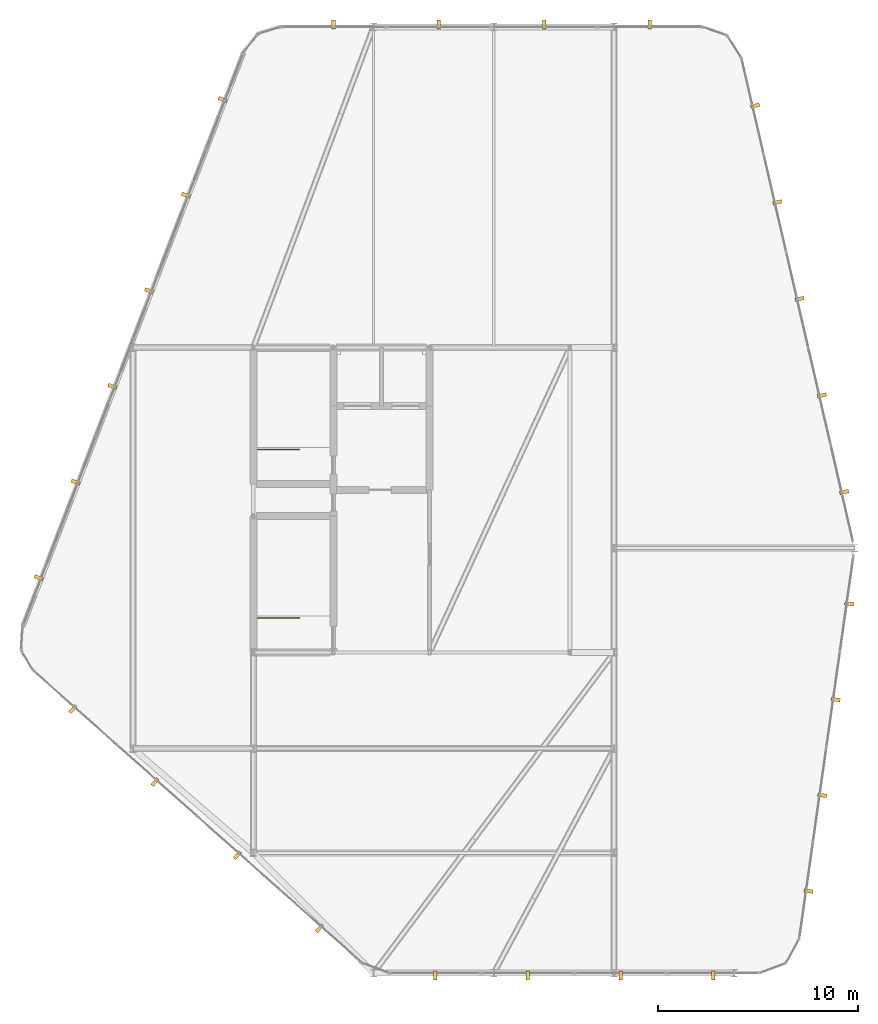
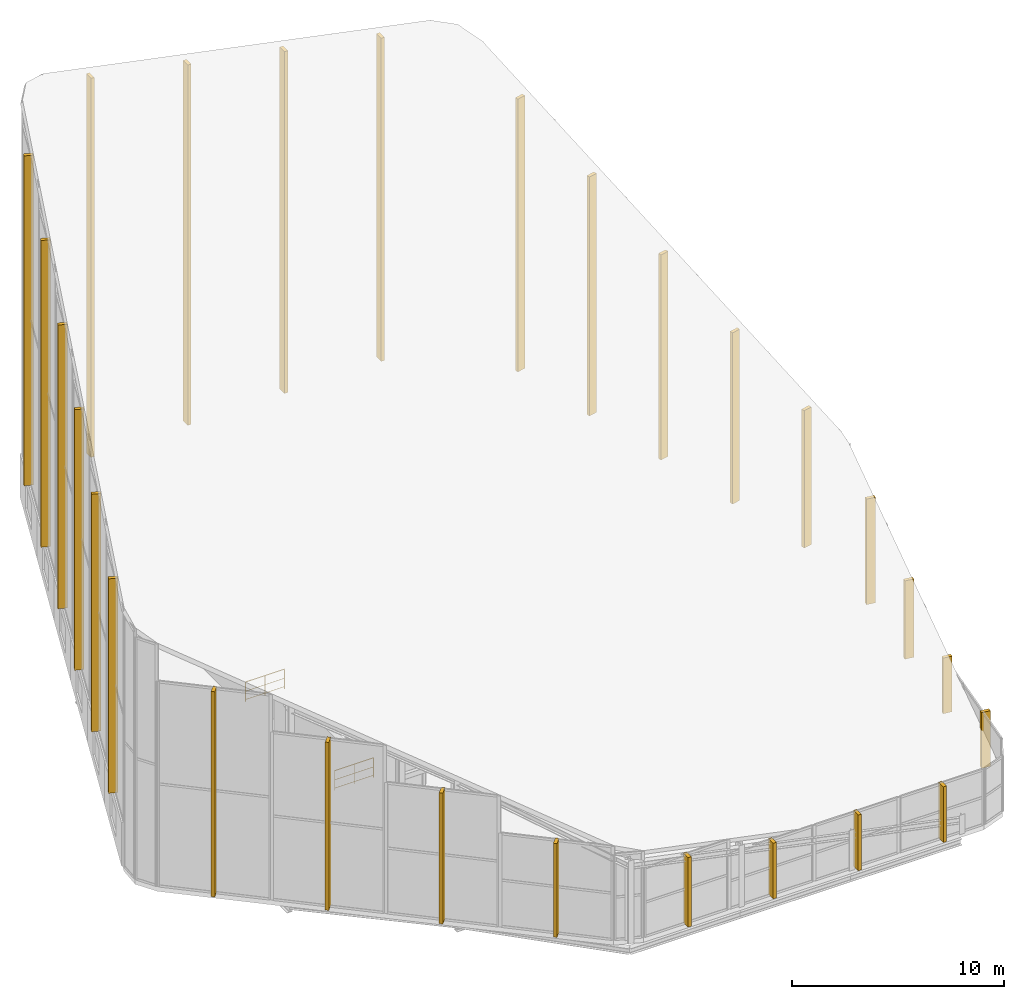
# One storey, part 74 of 74: 27 coverings, 2 railings.
"""IFC4 building model written with IfcOpenShell, lengths in metres."""

from ifc_helpers import new_model, si_unit, direction, frame, origin, origin_2d, place, context, subcontext, project, spatial, rectangle, circle, extrude, material, layer, layer_set, type_object, element, save


model = new_model("IFC4")

# Units and contexts
model_context = context("Model", 3, precision=1e-05, world=origin(), true_north=direction((0.0, 1.0)))
body_context = subcontext(model_context, "Body", "Model", "MODEL_VIEW")
ifc_project = project(units=[si_unit("LENGTHUNIT", "METRE"), si_unit("AREAUNIT", "SQUARE_METRE"), si_unit("VOLUMEUNIT", "CUBIC_METRE"), si_unit("PLANEANGLEUNIT", "RADIAN"), si_unit("MASSUNIT", "GRAM", prefix="KILO")], contexts=[model_context])

# Site, building, storey
site_placement = place(None, origin())
site = spatial("IfcSite", under=ifc_project, at=site_placement, CompositionType="ELEMENT")
building_placement = place(site_placement, origin())
building = spatial("IfcBuilding", under=site, at=building_placement, Name="Keshet Zoharim Tower", CompositionType="ELEMENT")
storey_placement = place(building_placement, frame((0.0, 0.0, 320.0)))
storey = spatial("IfcBuildingStorey", under=building, at=storey_placement, Name="RF", CompositionType="ELEMENT", Elevation=320.0)

# Coverings
ifc_material_1 = material(Name="Concrete C50/60 precast", Category="concrete")
covering_type = type_object("IfcCoveringType", Name="FIN-SOL-450", PredefinedType="CLADDING", material=ifc_material_1)
covering_1_placement = place(storey_placement, frame((4.302001953125, 26.422119140625, 2.5), z_axis=(0.0, 0.0, 1.0), x_axis=(0.358979079302, 0.933345606206, 0.0)))
element("IfcCovering", 1, at=covering_1_placement, inside=storey, type_object=covering_type, Name="Slanted Crown Precast Solar Fin 03", PredefinedType="CLADDING", context=body_context, shape_type="SweptSolid", body=[
    extrude(rectangle(XDim=0.179931640625, YDim=0.449951171875, at=origin_2d()), origin(), (0.0, 0.0, 1.0), 12.326904296875),
])
covering_2_placement = place(storey_placement, frame((6.136962890625, 31.193115234375, 2.5), z_axis=(0.0, 0.0, 1.0), x_axis=(0.358979079302, 0.933345606206, 0.0)))
element("IfcCovering", 2, at=covering_2_placement, inside=storey, type_object=covering_type, Name="Slanted Crown Precast Solar Fin 04", PredefinedType="CLADDING", context=body_context, shape_type="SweptSolid", body=[
    extrude(rectangle(XDim=0.179931640625, YDim=0.449951171875, at=origin_2d()), origin(), (0.0, 0.0, 1.0), 13.654052734375),
])
covering_3_placement = place(storey_placement, frame((7.971923828125, 35.964111328125, 2.5), z_axis=(0.0, 0.0, 1.0), x_axis=(0.358979079302, 0.933345606206, 0.0)))
element("IfcCovering", 3, at=covering_3_placement, inside=storey, type_object=covering_type, Name="Slanted Crown Precast Solar Fin 05", PredefinedType="CLADDING", context=body_context, shape_type="SweptSolid", body=[
    extrude(rectangle(XDim=0.179931640625, YDim=0.449951171875, at=origin_2d()), origin(), (0.0, 0.0, 1.0), 14.98095703125),
])
covering_4_placement = place(storey_placement, frame((9.80810546875, 40.73388671875, 2.5), z_axis=(0.0, 0.0, 1.0), x_axis=(0.359044636163, 0.933320389385, 0.0)))
element("IfcCovering", 4, at=covering_4_placement, inside=storey, type_object=covering_type, Name="Slanted Crown Precast Solar Fin 06", PredefinedType="CLADDING", context=body_context, shape_type="SweptSolid", body=[
    extrude(rectangle(XDim=0.179931640625, YDim=0.449951171875, at=origin_2d()), origin(), (0.0, 0.0, 1.0), 16.30810546875),
])
covering_5_placement = place(storey_placement, frame((11.64208984375, 45.5048828125, 2.5), z_axis=(0.0, 0.0, 1.0), x_axis=(0.358979079302, 0.933345606206, 0.0)))
element("IfcCovering", 5, at=covering_5_placement, inside=storey, type_object=covering_type, Name="Slanted Crown Precast Solar Fin 07", PredefinedType="CLADDING", context=body_context, shape_type="SweptSolid", body=[
    extrude(rectangle(XDim=0.179931640625, YDim=0.449951171875, at=origin_2d()), origin(), (0.0, 0.0, 1.0), 17.634033203125),
])
covering_6_placement = place(storey_placement, frame((13.47705078125, 50.27587890625, 2.5), z_axis=(0.0, 0.0, 1.0), x_axis=(0.358979079302, 0.933345606206, 0.0)))
element("IfcCovering", 6, at=covering_6_placement, inside=storey, type_object=covering_type, Name="Slanted Crown Precast Solar Fin 08", PredefinedType="CLADDING", context=body_context, shape_type="SweptSolid", body=[
    extrude(rectangle(XDim=0.179931640625, YDim=0.449951171875, at=origin_2d()), origin(), (0.0, 0.0, 1.0), 18.9609375),
])
covering_7_placement = place(storey_placement, frame((19.0029296875, 54.02001953125, 0.0), z_axis=(0.0, 0.0, 1.0), x_axis=(1.0, 0.0, 0.0)))
element("IfcCovering", 7, at=covering_7_placement, inside=storey, type_object=covering_type, Name="Slanted Crown Precast Solar Fin 11", PredefinedType="CLADDING", context=body_context, shape_type="SweptSolid", body=[
    extrude(rectangle(XDim=0.179931640625, YDim=0.449951171875, at=origin_2d()), origin(), (0.0, 0.0, 1.0), 21.791015625),
])
covering_8_placement = place(storey_placement, frame((24.261962890625, 54.02001953125, 0.0), z_axis=(0.0, 0.0, 1.0), x_axis=(1.0, 0.0, 0.0)))
element("IfcCovering", 8, at=covering_8_placement, inside=storey, type_object=covering_type, Name="Slanted Crown Precast Solar Fin 12", PredefinedType="CLADDING", context=body_context, shape_type="SweptSolid", body=[
    extrude(rectangle(XDim=0.179931640625, YDim=0.449951171875, at=origin_2d()), origin(), (0.0, 0.0, 1.0), 20.718994140625),
])
covering_9_placement = place(storey_placement, frame((29.52099609375, 54.02001953125, 0.0), z_axis=(0.0, 0.0, 1.0), x_axis=(1.0, 0.0, 0.0)))
element("IfcCovering", 9, at=covering_9_placement, inside=storey, type_object=covering_type, Name="Slanted Crown Precast Solar Fin 13", PredefinedType="CLADDING", context=body_context, shape_type="SweptSolid", body=[
    extrude(rectangle(XDim=0.179931640625, YDim=0.449951171875, at=origin_2d()), origin(), (0.0, 0.0, 1.0), 19.64599609375),
])
covering_10_placement = place(storey_placement, frame((34.779052734375, 54.02001953125, 0.0), z_axis=(0.0, 0.0, 1.0), x_axis=(1.0, 0.0, 0.0)))
element("IfcCovering", 10, at=covering_10_placement, inside=storey, type_object=covering_type, Name="Slanted Crown Precast Solar Fin 14", PredefinedType="CLADDING", context=body_context, shape_type="SweptSolid", body=[
    extrude(rectangle(XDim=0.179931640625, YDim=0.449951171875, at=origin_2d()), origin(), (0.0, 0.0, 1.0), 18.573974609375),
])
covering_11_placement = place(storey_placement, frame((40.031005859375, 49.968017578125, 0.0), z_axis=(0.0, 0.0, 1.0), x_axis=(0.224889047025, -0.974384378225, 0.0)))
element("IfcCovering", 11, at=covering_11_placement, inside=storey, type_object=covering_type, Name="Slanted Crown Precast Solar Fin 17", PredefinedType="CLADDING", context=body_context, shape_type="SweptSolid", body=[
    extrude(rectangle(XDim=0.179931640625, YDim=0.449951171875, at=origin_2d()), origin(), (0.0, 0.0, 1.0), 15.678955078125),
])
covering_12_placement = place(storey_placement, frame((41.14208984375, 45.14990234375, 0.0), z_axis=(0.0, 0.0, 1.0), x_axis=(0.224741314643, -0.974418463235, 0.0)))
element("IfcCovering", 12, at=covering_12_placement, inside=storey, type_object=covering_type, Name="Slanted Crown Precast Solar Fin 18", PredefinedType="CLADDING", context=body_context, shape_type="SweptSolid", body=[
    extrude(rectangle(XDim=0.179931640625, YDim=0.449951171875, at=origin_2d()), origin(), (0.0, 0.0, 1.0), 13.735107421875),
])
covering_13_placement = place(storey_placement, frame((42.25390625, 40.3330078125, 0.0), z_axis=(0.0, 0.0, 1.0), x_axis=(0.224889047025, -0.974384378225, 0.0)))
element("IfcCovering", 13, at=covering_13_placement, inside=storey, type_object=covering_type, Name="Slanted Crown Precast Solar Fin 19", PredefinedType="CLADDING", context=body_context, shape_type="SweptSolid", body=[
    extrude(rectangle(XDim=0.179931640625, YDim=0.449951171875, at=origin_2d()), origin(), (0.0, 0.0, 1.0), 11.7900390625),
])
covering_14_placement = place(storey_placement, frame((43.364990234375, 35.514892578125, 0.0), z_axis=(0.0, 0.0, 1.0), x_axis=(0.224741314643, -0.974418463235, 0.0)))
element("IfcCovering", 14, at=covering_14_placement, inside=storey, type_object=covering_type, Name="Slanted Crown Precast Solar Fin 20", PredefinedType="CLADDING", context=body_context, shape_type="SweptSolid", body=[
    extrude(rectangle(XDim=0.179931640625, YDim=0.449951171875, at=origin_2d()), origin(), (0.0, 0.0, 1.0), 9.845947265625),
])
covering_15_placement = place(storey_placement, frame((44.47705078125, 30.697998046875, 0.0), z_axis=(0.0, 0.0, 1.0), x_axis=(0.224889047025, -0.974384378225, 0.0)))
element("IfcCovering", 15, at=covering_15_placement, inside=storey, type_object=covering_type, Name="Slanted Crown Precast Solar Fin 21", PredefinedType="CLADDING", context=body_context, shape_type="SweptSolid", body=[
    extrude(rectangle(XDim=0.179931640625, YDim=0.449951171875, at=origin_2d()), origin(), (0.0, 0.0, 1.0), 7.902099609375),
])
covering_16_placement = place(storey_placement, frame((44.72900390625, 25.1259765625, 0.0), z_axis=(0.0, 0.0, 1.0), x_axis=(-0.140086674201, -0.990139244607, 0.0)))
element("IfcCovering", 16, at=covering_16_placement, inside=storey, type_object=covering_type, Name="Slanted Crown Precast Solar Fin 22", PredefinedType="CLADDING", context=body_context, shape_type="SweptSolid", body=[
    extrude(rectangle(XDim=0.179931640625, YDim=0.449951171875, at=origin_2d()), origin(), (0.0, 0.0, 1.0), 6.069091796875),
])
covering_17_placement = place(storey_placement, frame((44.052978515625, 20.347900390625, 0.0), z_axis=(0.0, 0.0, 1.0), x_axis=(-0.140086674201, -0.990139244607, 0.0)))
element("IfcCovering", 17, at=covering_17_placement, inside=storey, type_object=covering_type, Name="Slanted Crown Precast Solar Fin 23", PredefinedType="CLADDING", context=body_context, shape_type="SweptSolid", body=[
    extrude(rectangle(XDim=0.179931640625, YDim=0.449951171875, at=origin_2d()), origin(), (0.0, 0.0, 1.0), 4.5029296875),
])
for number, where, z_axis, x_axis, name in (
    (18, (43.3759765625, 15.570068359375, 0.0), (0.0, 0.0, 1.0), (-0.14028982745, -0.990110480863, 0.0), "Slanted Crown Precast Solar Fin 24"),
    (19, (42.699951171875, 10.7919921875, 0.0), (0.0, 0.0, 1.0), (-0.140086674201, -0.990139244607, 0.0), "Slanted Crown Precast Solar Fin 25"),
    (20, (37.949951171875, 6.580078125, 0.0), (0.0, 0.0, 1.0), (-1.0, 0.0, 0.0), "Slanted Crown Precast Solar Fin 28"),
    (21, (33.323974609375, 6.580078125, 0.0), (0.0, 0.0, 1.0), (-1.0, 0.0, 0.0), "Slanted Crown Precast Solar Fin 29"),
    (22, (28.697998046875, 6.580078125, 0.0), (0.0, 0.0, 1.0), (-1.0, 0.0, 0.0), "Slanted Crown Precast Solar Fin 30"),
):
    element("IfcCovering", number, at=place(storey_placement, frame(where, z_axis=z_axis, x_axis=x_axis)), inside=storey, type_object=covering_type, Name=name, PredefinedType="CLADDING", context=body_context, shape_type="SweptSolid", body=[
        extrude(rectangle(XDim=0.179931640625, YDim=0.449951171875, at=origin_2d()), origin(), (0.0, 0.0, 1.0), 3.199951171875),
    ])
covering_18_placement = place(storey_placement, frame((24.072998046875, 6.580078125, 0.0), z_axis=(0.0, 0.0, 1.0), x_axis=(-1.0, 0.0, 0.0)))
element("IfcCovering", 23, at=covering_18_placement, inside=storey, type_object=covering_type, Name="Slanted Crown Precast Solar Fin 31", PredefinedType="CLADDING", context=body_context, shape_type="SweptSolid", body=[
    extrude(rectangle(XDim=0.179931640625, YDim=0.449951171875, at=origin_2d()), origin(), (0.0, 0.0, 1.0), 3.992919921875),
])
covering_19_placement = place(storey_placement, frame((18.302978515625, 8.93701171875, 0.0), z_axis=(0.0, 0.0, 1.0), x_axis=(-0.747369079055, 0.664409105651, 0.0)))
element("IfcCovering", 24, at=covering_19_placement, inside=storey, type_object=covering_type, Name="Slanted Crown Precast Solar Fin 33", PredefinedType="CLADDING", context=body_context, shape_type="SweptSolid", body=[
    extrude(rectangle(XDim=0.179931640625, YDim=0.449951171875, at=origin_2d()), origin(), (0.0, 0.0, 1.0), 5.386962890625),
])
covering_20_placement = place(storey_placement, frame((14.202880859375, 12.5810546875, 0.0), z_axis=(0.0, 0.0, 1.0), x_axis=(-0.747540076565, 0.664216707054, 0.0)))
element("IfcCovering", 25, at=covering_20_placement, inside=storey, type_object=covering_type, Name="Slanted Crown Precast Solar Fin 34", PredefinedType="CLADDING", context=body_context, shape_type="SweptSolid", body=[
    extrude(rectangle(XDim=0.179931640625, YDim=0.449951171875, at=origin_2d()), origin(), (0.0, 0.0, 1.0), 7.52294921875),
])
covering_21_placement = place(storey_placement, frame((10.10400390625, 16.22412109375, 0.0), z_axis=(0.0, 0.0, 1.0), x_axis=(-0.747369079055, 0.664409105651, 0.0)))
element("IfcCovering", 26, at=covering_21_placement, inside=storey, type_object=covering_type, Name="Slanted Crown Precast Solar Fin 35", PredefinedType="CLADDING", context=body_context, shape_type="SweptSolid", body=[
    extrude(rectangle(XDim=0.179931640625, YDim=0.449951171875, at=origin_2d()), origin(), (0.0, 0.0, 1.0), 9.657958984375),
])
covering_22_placement = place(storey_placement, frame((6.0048828125, 19.867919921875, 0.0), z_axis=(0.0, 0.0, 1.0), x_axis=(-0.747369079055, 0.664409105651, 0.0)))
element("IfcCovering", 27, at=covering_22_placement, inside=storey, type_object=covering_type, Name="Slanted Crown Precast Solar Fin 36", PredefinedType="CLADDING", context=body_context, shape_type="SweptSolid", body=[
    extrude(rectangle(XDim=0.179931640625, YDim=0.449951171875, at=origin_2d()), origin(), (0.0, 0.0, 1.0), 11.79296875),
])

# Railings
ifc_material_2 = material(Name="Steel S355", Category="steel")
ifc_layer = layer(ifc_material_2, 0.06005859375)
ifc_layer_set = layer_set([ifc_layer], Name="Steel S355")
railing_type = type_object("IfcRailingType", Name="RL-STG-115", PredefinedType="GUARDRAIL", material=ifc_layer_set)
for number, where, name in (
    (28, (15.199951171875, 24.409912109375, 0.0), "RF ST-01 Stairwell Floor Guardrail"),
    (29, (15.199951171875, 32.81005859375, 0.0), "RF ST-02 Stairwell Floor Guardrail"),
):
    element("IfcRailing", number, at=place(storey_placement, frame(where)), inside=storey, type_object=railing_type, Name=name, PredefinedType="GUARDRAIL", context=body_context, shape_type="SweptSolid", body=[
        extrude(circle(Radius=0.02392578125, at=origin_2d()), frame((0.0, 0.0, 1.1259765625), z_axis=(1.0, 0.0, 0.0), x_axis=(0.0, 1.0, 0.0)), (0.0, 0.0, 1.0), 2.110107421875),
        extrude(circle(Radius=0.01611328125, at=origin_2d()), frame((0.0, 0.0, 0.597900390625), z_axis=(1.0, 0.0, 0.0), x_axis=(0.0, 1.0, 0.0)), (0.0, 0.0, 1.0), 2.110107421875),
        extrude(circle(Radius=0.01611328125, at=origin_2d()), frame((0.0, 0.0, 0.1201171875), z_axis=(1.0, 0.0, 0.0), x_axis=(0.0, 1.0, 0.0)), (0.0, 0.0, 1.0), 2.110107421875),
        extrude(circle(Radius=0.02099609375, at=origin_2d()), origin(), (0.0, 0.0, 1.0), 1.101806640625),
        extrude(circle(Radius=0.02099609375, at=origin_2d()), frame((1.05517578125, 0.0, 0.0)), (0.0, 0.0, 1.0), 1.101806640625),
        extrude(circle(Radius=0.02099609375, at=origin_2d()), frame((2.110107421875, 0.0, 0.0)), (0.0, 0.0, 1.0), 1.101806640625),
    ])

save(model, "model.ifc")
